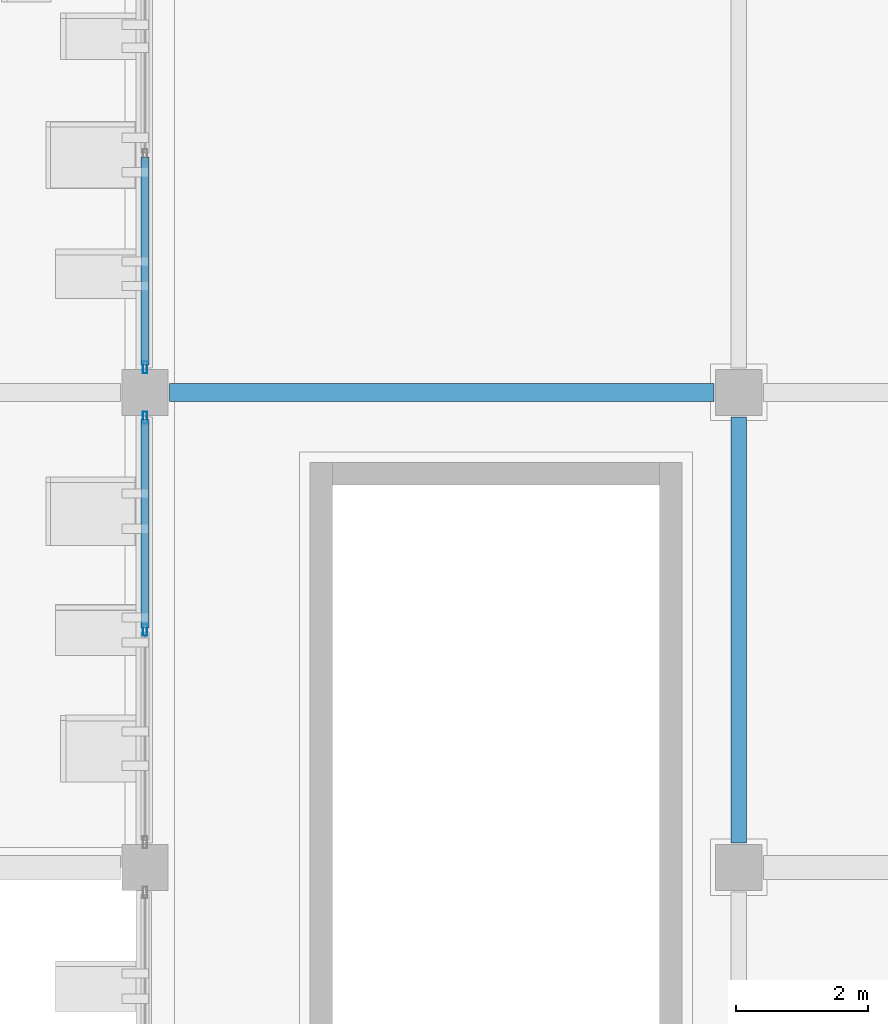
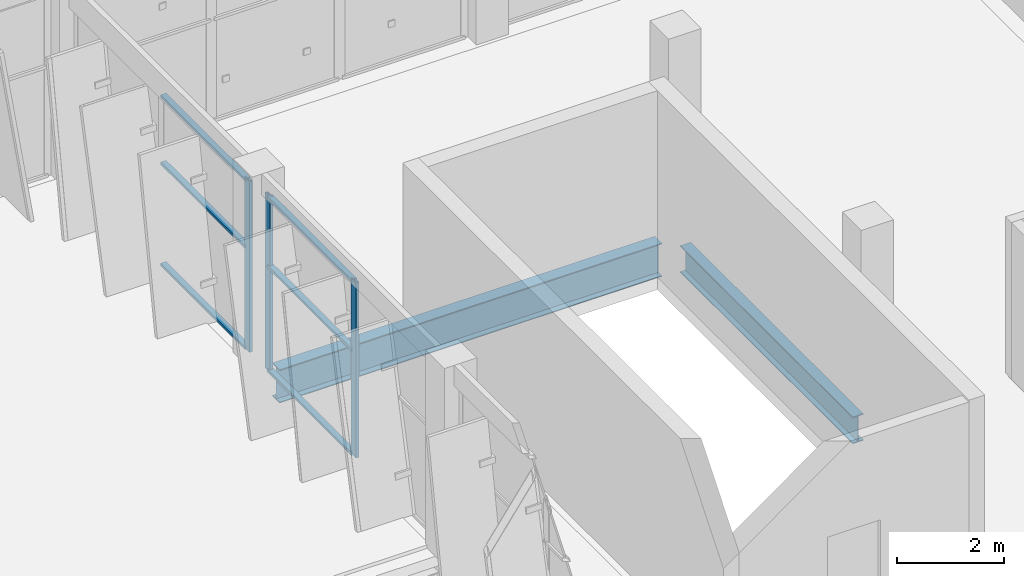
# One storey, part 39 of 151: 9 members, 2 beams, 2 elements without a shape of their own.
"""IFC4 building model written with IfcOpenShell, lengths in metres."""

from ifc_helpers import new_model, si_unit, direction, frame, origin, origin_2d, place, context, subcontext, project, spatial, hollow_rectangle, i_section, extrude, material, layer, layer_set, material_profile, profile_set, type_object, element, aggregate, save


model = new_model("IFC4")

# Units and contexts
model_context = context("Model", 3, precision=1e-05, world=origin(), true_north=direction((0.0, 1.0)))
body_context = subcontext(model_context, "Body", "Model", "MODEL_VIEW")
ifc_project = project(units=[si_unit("LENGTHUNIT", "METRE"), si_unit("AREAUNIT", "SQUARE_METRE"), si_unit("VOLUMEUNIT", "CUBIC_METRE"), si_unit("PLANEANGLEUNIT", "RADIAN"), si_unit("MASSUNIT", "GRAM", prefix="KILO")], contexts=[model_context])

# Site, building, storey
site_placement = place(None, origin())
site = spatial("IfcSite", under=ifc_project, at=site_placement, CompositionType="ELEMENT")
building_placement = place(site_placement, origin())
building = spatial("IfcBuilding", under=site, at=building_placement, Name="Celestram Park Convention Centre", CompositionType="ELEMENT")
storey_placement = place(building_placement, frame((0.0, 0.0, 10.800048828125)))
storey = spatial("IfcBuildingStorey", under=building, at=storey_placement, Name="L02", CompositionType="ELEMENT", Elevation=10.800048828125)

# Curtain wall, members
ifc_material_1 = material(Name="Anodised Aluminium Alloy 6063-T6", Category="aluminium")
ifc_layer_1 = layer(ifc_material_1, 0.179931640625)
ifc_layer_set_1 = layer_set([ifc_layer_1], Name="Anodised Aluminium Alloy 6063-T6")
curtain_wall_type_1 = type_object("IfcCurtainWallType", Name="ARC-CW-650X401", PredefinedType="NOTDEFINED", material=ifc_layer_set_1)
curtain_wall_1_placement = place(storey_placement, origin())
curtain_wall_1 = element("IfcCurtainWall", 1, at=curtain_wall_1_placement, inside=storey, type_object=curtain_wall_type_1, Name="Unitised curtain wall CU-L02-142", PredefinedType="NOTDEFINED")
ifc_material_profile_1 = material_profile(ifc_material_1, hollow_rectangle(XDim=0.06494140625, YDim=0.179931640625, WallThickness=0.00390625, at=origin_2d()), Name="ALU65X180X4")
ifc_profile_set_1 = profile_set([ifc_material_profile_1], Name="Anodised Aluminium Alloy 6063-T6")
member_type_1 = type_object("IfcMemberType", Name="ARC-CWM-150", PredefinedType="MULLION", material=ifc_profile_set_1)
member_1_placement = place(storey_placement, frame((144.0, 25.199951171875, 0.0), z_axis=(0.0, 0.0, 1.0), x_axis=(-1.0, 0.0, 0.0)))
member_1 = element("IfcMember", 2, at=member_1_placement, type_object=member_type_1, Name="CW-65X40 mullion 2", PredefinedType="MULLION", context=body_context, shape_type="SweptSolid", body=[
    extrude(hollow_rectangle(XDim=0.06494140625, YDim=0.179931640625, WallThickness=0.00390625, at=origin_2d()), origin(), (0.0, 0.0, 1.0), 4.010009765625),
])
member_2_placement = place(storey_placement, frame((144.0, 28.41943359375, 0.0), z_axis=(0.0, 0.0, 1.0), x_axis=(-1.0, 0.0, 0.0)))
member_2 = element("IfcMember", 3, at=member_2_placement, type_object=member_type_1, Name="CW-65X40 mullion 3", PredefinedType="MULLION", context=body_context, shape_type="SweptSolid", body=[
    extrude(hollow_rectangle(XDim=0.06494140625, YDim=0.179931640625, WallThickness=0.00390625, at=origin_2d()), origin(), (0.0, 0.0, 1.0), 4.010009765625),
])

# Curtain wall, member
ifc_layer_2 = layer(ifc_material_1, 0.179931640625)
ifc_layer_set_2 = layer_set([ifc_layer_2], Name="Anodised Aluminium Alloy 6063-T6")
curtain_wall_type_2 = type_object("IfcCurtainWallType", Name="ARC-CW-650X390", PredefinedType="NOTDEFINED", material=ifc_layer_set_2)
curtain_wall_2_placement = place(storey_placement, origin())
curtain_wall_2 = element("IfcCurtainWall", 4, at=curtain_wall_2_placement, inside=storey, type_object=curtain_wall_type_2, Name="Unitised curtain wall CU-L02-143", PredefinedType="NOTDEFINED")
member_3_placement = place(storey_placement, frame((144.0, 29.180419921875, 0.0), z_axis=(0.0, 0.0, 1.0), x_axis=(-1.0, 0.0, 0.0)))
member_3 = element("IfcMember", 5, at=member_3_placement, type_object=member_type_1, Name="CW-65X39 mullion 1", PredefinedType="MULLION", context=body_context, shape_type="SweptSolid", body=[
    extrude(hollow_rectangle(XDim=0.06494140625, YDim=0.179931640625, WallThickness=0.00390625, at=origin_2d()), origin(), (0.0, 0.0, 1.0), 3.904052734375),
])

# Member
ifc_material_profile_2 = material_profile(ifc_material_1, hollow_rectangle(XDim=0.1201171875, YDim=0.06005859375, WallThickness=0.0029296875, at=origin_2d()), Name="ALU120X60X3")
ifc_profile_set_2 = profile_set([ifc_material_profile_2], Name="Anodised Aluminium Alloy 6063-T6")
member_type_2 = type_object("IfcMemberType", Name="ARC-CWT-120", PredefinedType="USERDEFINED", material=ifc_profile_set_2)
member_4_placement = place(storey_placement, frame((144.0, 25.232421875, 0.030029296875), z_axis=(0.0, 1.0, 0.0), x_axis=(-1.0, 0.0, 0.0)))
member_4 = element("IfcMember", 6, at=member_4_placement, type_object=member_type_2, Name="CW-65X40 transom 2.1", ObjectType="TRANSOM", PredefinedType="USERDEFINED", context=body_context, shape_type="SweptSolid", body=[
    extrude(hollow_rectangle(XDim=0.1201171875, YDim=0.06005859375, WallThickness=0.0029296875, at=origin_2d()), origin(), (0.0, 0.0, 1.0), 3.154541015625),
])

member_5_placement = place(storey_placement, frame((144.0, 25.232421875, 2.406005859375), z_axis=(0.0, 1.0, 0.0), x_axis=(-1.0, 0.0, 0.0)))
member_5 = element("IfcMember", 7, at=member_5_placement, type_object=member_type_2, Name="CW-65X40 transom 2.2", ObjectType="TRANSOM", PredefinedType="USERDEFINED", context=body_context, shape_type="SweptSolid", body=[
    extrude(hollow_rectangle(XDim=0.1201171875, YDim=0.06005859375, WallThickness=0.0029296875, at=origin_2d()), origin(), (0.0, 0.0, 1.0), 3.154541015625),
])

member_6_placement = place(storey_placement, frame((144.0, 25.232421875, 3.97998046875), z_axis=(0.0, 1.0, 0.0), x_axis=(-1.0, 0.0, 0.0)))
member_6 = element("IfcMember", 8, at=member_6_placement, type_object=member_type_2, Name="CW-65X40 transom 2.3", ObjectType="TRANSOM", PredefinedType="USERDEFINED", context=body_context, shape_type="SweptSolid", body=[
    extrude(hollow_rectangle(XDim=0.1201171875, YDim=0.06005859375, WallThickness=0.0029296875, at=origin_2d()), origin(), (0.0, 0.0, 1.0), 3.154541015625),
])

aggregate(curtain_wall_1, [member_1, member_2, member_4, member_5, member_6])

member_7_placement = place(storey_placement, frame((144.0, 29.212890625, 0.030029296875), z_axis=(0.0, 1.0, 0.0), x_axis=(-1.0, 0.0, 0.0)))
member_7 = element("IfcMember", 9, at=member_7_placement, type_object=member_type_2, Name="CW-65X39 transom 1.1", ObjectType="TRANSOM", PredefinedType="USERDEFINED", context=body_context, shape_type="SweptSolid", body=[
    extrude(hollow_rectangle(XDim=0.1201171875, YDim=0.06005859375, WallThickness=0.0029296875, at=origin_2d()), origin(), (0.0, 0.0, 1.0), 3.154541015625),
])

member_8_placement = place(storey_placement, frame((144.0, 29.212890625, 2.342041015625), z_axis=(0.0, 1.0, 0.0), x_axis=(-1.0, 0.0, 0.0)))
member_8 = element("IfcMember", 10, at=member_8_placement, type_object=member_type_2, Name="CW-65X39 transom 1.2", ObjectType="TRANSOM", PredefinedType="USERDEFINED", context=body_context, shape_type="SweptSolid", body=[
    extrude(hollow_rectangle(XDim=0.1201171875, YDim=0.06005859375, WallThickness=0.0029296875, at=origin_2d()), origin(), (0.0, 0.0, 1.0), 3.154541015625),
])

member_9_placement = place(storey_placement, frame((144.0, 29.212890625, 3.8740234375), z_axis=(0.0, 1.0, 0.0), x_axis=(-1.0, 0.0, 0.0)))
member_9 = element("IfcMember", 11, at=member_9_placement, type_object=member_type_2, Name="CW-65X39 transom 1.3", ObjectType="TRANSOM", PredefinedType="USERDEFINED", context=body_context, shape_type="SweptSolid", body=[
    extrude(hollow_rectangle(XDim=0.1201171875, YDim=0.06005859375, WallThickness=0.0029296875, at=origin_2d()), origin(), (0.0, 0.0, 1.0), 3.154541015625),
])

aggregate(curtain_wall_2, [member_3, member_7, member_8, member_9])

# Beams
ifc_material_2 = material(Name="Steel ASTM A992 Grade 50", Category="steel")
ifc_material_profile_3 = material_profile(ifc_material_2, i_section(OverallWidth=0.22900390625, OverallDepth=0.612060546875, WebThickness=0.011962890625, FlangeThickness=0.01953125, at=origin_2d()), Name="W24X84")
ifc_profile_set_3 = profile_set([ifc_material_profile_3], Name="Steel ASTM A992 Grade 50")
beam_type_1 = type_object("IfcBeamType", Name="STR-BM-W24X84", PredefinedType="BEAM", material=ifc_profile_set_3)
beam_1_placement = place(storey_placement, frame((153.0, 21.972900390625, -0.5859375), z_axis=(0.0, 1.0, 0.0), x_axis=(-1.0, 0.0, 0.0)))
element("IfcBeam", 12, at=beam_1_placement, inside=storey, type_object=beam_type_1, Name="Primary Y-girder BG-L02-0271", PredefinedType="BEAM", context=body_context, shape_type="SweptSolid", body=[
    extrude(i_section(OverallWidth=0.22900390625, OverallDepth=0.612060546875, WebThickness=0.011962890625, FlangeThickness=0.01953125, at=origin_2d()), origin(), (0.0, 0.0, 1.0), 6.4541015625),
])
ifc_material_profile_4 = material_profile(ifc_material_2, i_section(OverallWidth=0.26708984375, OverallDepth=0.761962890625, WebThickness=0.014404296875, FlangeThickness=0.021484375, at=origin_2d()), Name="W30X116")
ifc_profile_set_4 = profile_set([ifc_material_profile_4], Name="Steel ASTM A992 Grade 50")
beam_type_2 = type_object("IfcBeamType", Name="STR-BM-W30X116", PredefinedType="BEAM", material=ifc_profile_set_4)
beam_2_placement = place(storey_placement, frame((144.373046875, 28.800048828125, -0.6611328125), z_axis=(1.0, 0.0, 0.0), x_axis=(0.0, 1.0, 0.0)))
element("IfcBeam", 13, at=beam_2_placement, inside=storey, type_object=beam_type_2, Name="Primary X-girder BG-L02-0240", PredefinedType="BEAM", context=body_context, shape_type="SweptSolid", body=[
    extrude(i_section(OverallWidth=0.26708984375, OverallDepth=0.761962890625, WebThickness=0.014404296875, FlangeThickness=0.021484375, at=origin_2d()), origin(), (0.0, 0.0, 1.0), 8.25390625),
])

save(model, "model.ifc")
